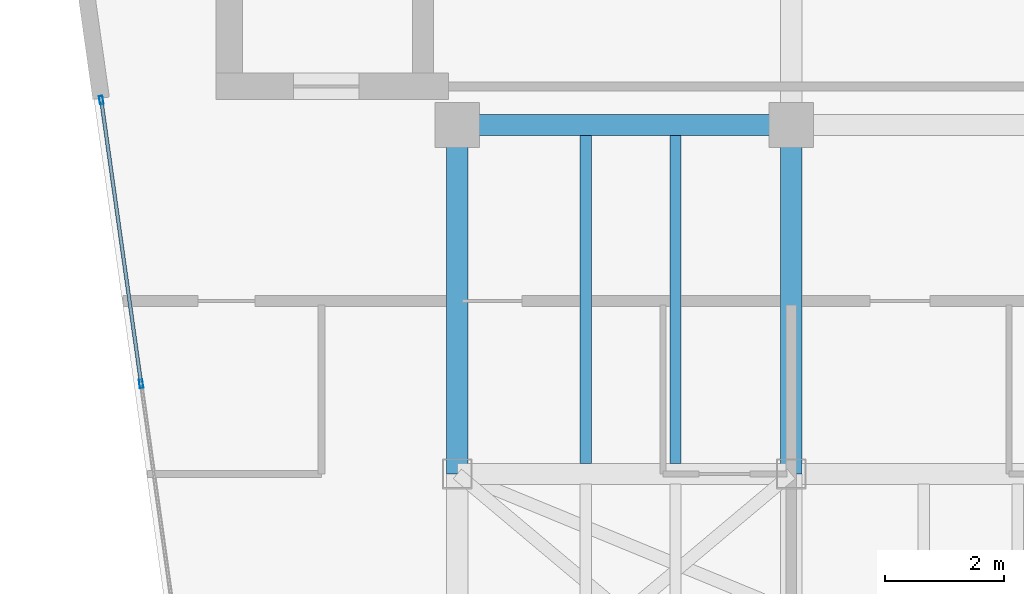
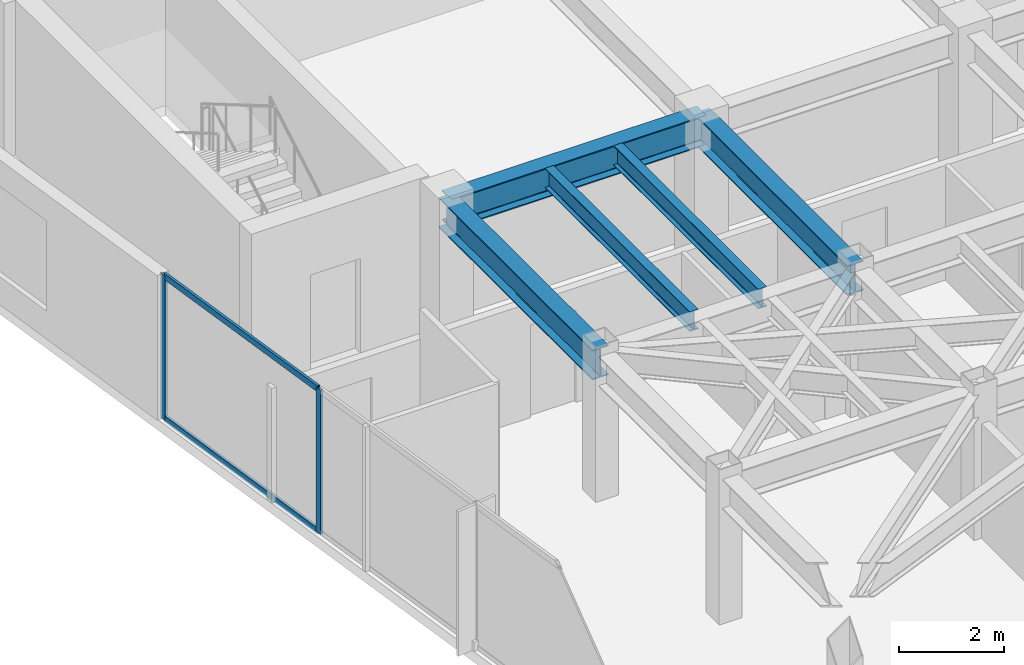
# One storey, part 10 of 20: 5 beams, 4 members, 1 element without a shape of its own.
"""IFC4 building model written with IfcOpenShell, lengths in metres."""

from ifc_helpers import new_model, si_unit, direction, frame, origin, origin_2d, place, context, subcontext, project, spatial, hollow_rectangle, i_section, extrude, material, layer, layer_set, material_profile, profile_set, type_object, element, aggregate, save


model = new_model("IFC4")

# Units and contexts
model_context = context("Model", 3, precision=1e-05, world=origin(), true_north=direction((0.0, 1.0)))
body_context = subcontext(model_context, "Body", "Model", "MODEL_VIEW")
ifc_project = project(units=[si_unit("LENGTHUNIT", "METRE"), si_unit("AREAUNIT", "SQUARE_METRE"), si_unit("VOLUMEUNIT", "CUBIC_METRE"), si_unit("PLANEANGLEUNIT", "RADIAN"), si_unit("MASSUNIT", "GRAM", prefix="KILO")], contexts=[model_context])

# Site, building, storey
site_placement = place(None, origin())
site = spatial("IfcSite", under=ifc_project, at=site_placement, CompositionType="ELEMENT")
building_placement = place(site_placement, origin())
building = spatial("IfcBuilding", under=site, at=building_placement, Name="Kravanh Interchange Tower", CompositionType="ELEMENT")
storey_placement = place(building_placement, frame((0.0, 0.0, 238.199951171875)))
storey = spatial("IfcBuildingStorey", under=building, at=storey_placement, Name="L57", CompositionType="ELEMENT", Elevation=238.199951171875)

# Curtain wall, members
ifc_material_1 = material(Name="Anodised Bronze Aluminium", Category="aluminium")
ifc_layer = layer(ifc_material_1, 0.179931640625)
ifc_layer_set = layer_set([ifc_layer], Name="Unitised Curtain Wall System CW-HTL Luxury Hotel")
curtain_wall_type = type_object("IfcCurtainWallType", Name="Unitised Curtain Wall System CW-HTL Luxury Hotel", PredefinedType="NOTDEFINED", material=ifc_layer_set)
curtain_wall_placement = place(storey_placement, origin())
curtain_wall = element("IfcCurtainWall", 1, at=curtain_wall_placement, inside=storey, type_object=curtain_wall_type, Name="L57 Unitised Curtain Wall CW-L57-01", PredefinedType="NOTDEFINED")
ifc_material_2 = material(Name="Anodised Bronze Aluminium", Category="aluminium")
ifc_material_profile_1 = material_profile(ifc_material_2, hollow_rectangle(XDim=0.06005859375, YDim=0.139892578125, WallThickness=0.00390625, at=origin_2d()), Name="ALU60X140X4")
ifc_profile_set_1 = profile_set([ifc_material_profile_1], Name="Anodised Bronze Aluminium")
member_type_1 = type_object("IfcMemberType", Name="Curtain Wall Mullion ALU60X140X4 Bronze", PredefinedType="MULLION", material=ifc_profile_set_1)
member_1_placement = place(storey_placement, frame((21.89794921875, 33.010498046875, 0.0), z_axis=(0.0, 0.0, 1.0), x_axis=(-0.990267623707, -0.13917626751, 0.0)))
member_1 = element("IfcMember", 2, at=member_1_placement, type_object=member_type_1, Name="CW-HTL mullion 4", PredefinedType="MULLION", context=body_context, shape_type="SweptSolid", body=[
    extrude(hollow_rectangle(XDim=0.06005859375, YDim=0.139892578125, WallThickness=0.00390625, at=origin_2d()), origin(), (0.0, 0.0, 1.0), 3.360107421875),
])
member_2_placement = place(storey_placement, frame((21.22900390625, 37.770263671875, 0.0), z_axis=(0.0, 0.0, 1.0), x_axis=(-0.990267623707, -0.13917626751, 0.0)))
member_2 = element("IfcMember", 3, at=member_2_placement, type_object=member_type_1, Name="CW-HTL mullion 5", PredefinedType="MULLION", context=body_context, shape_type="SweptSolid", body=[
    extrude(hollow_rectangle(XDim=0.06005859375, YDim=0.139892578125, WallThickness=0.00390625, at=origin_2d()), origin(), (0.0, 0.0, 1.0), 3.360107421875),
])
ifc_material_3 = material(Name="Anodised Bronze Aluminium", Category="aluminium")
ifc_material_profile_2 = material_profile(ifc_material_3, hollow_rectangle(XDim=0.06005859375, YDim=0.139892578125, WallThickness=0.00390625, at=origin_2d()), Name="ALU60X140X4")
ifc_profile_set_2 = profile_set([ifc_material_profile_2], Name="Anodised Bronze Aluminium")
member_type_2 = type_object("IfcMemberType", Name="Curtain Wall Transom ALU60X140X4 Bronze", PredefinedType="USERDEFINED", material=ifc_profile_set_2)
member_3_placement = place(storey_placement, frame((21.893798828125, 33.0400390625, 0.030029296875), z_axis=(-0.13918153974, 0.990266882712, 0.0), x_axis=(-0.990266882712, -0.13918153974, 0.0)))
member_3 = element("IfcMember", 4, at=member_3_placement, type_object=member_type_2, Name="CW-HTL transom 4.1", ObjectType="TRANSOM", PredefinedType="USERDEFINED", context=body_context, shape_type="SweptSolid", body=[
    extrude(hollow_rectangle(XDim=0.06005859375, YDim=0.139892578125, WallThickness=0.00390625, at=origin_2d()), origin(), (0.0, 0.0, 1.0), 4.74658203125),
])
member_4_placement = place(storey_placement, frame((21.893798828125, 33.0400390625, 3.330078125), z_axis=(-0.13918153974, 0.990266882712, 0.0), x_axis=(-0.990266882712, -0.13918153974, 0.0)))
member_4 = element("IfcMember", 5, at=member_4_placement, type_object=member_type_2, Name="CW-HTL transom 4.2", ObjectType="TRANSOM", PredefinedType="USERDEFINED", context=body_context, shape_type="SweptSolid", body=[
    extrude(hollow_rectangle(XDim=0.06005859375, YDim=0.139892578125, WallThickness=0.00390625, at=origin_2d()), origin(), (0.0, 0.0, 1.0), 4.74658203125),
])
aggregate(curtain_wall, [member_1, member_2, member_3, member_4])

# Beams
ifc_material_4 = material(Name="Structural Steel S355", Category="steel")
ifc_material_profile_3 = material_profile(ifc_material_4, i_section(OverallWidth=0.35498046875, OverallDepth=0.696044921875, WebThickness=0.015380859375, FlangeThickness=0.02490234375, FilletRadius=0.02392578125, at=origin_2d()), Name="W27X146")
ifc_profile_set_3 = profile_set([ifc_material_profile_3], Name="Structural Steel S355")
beam_type_1 = type_object("IfcBeamType", Name="Floor Beam W27X146 Structural Steel S355", PredefinedType="BEAM", material=ifc_profile_set_3)
for number, where, z_axis, x_axis, name in (
    (6, (32.800048828125, 31.5, 3.011962890625), (0.0, 1.0, 0.0), (-1.0, 0.0, 0.0), "L57 Primary Floor Girder 23"),
    (7, (27.199951171875, 31.5, 3.011962890625), (0.0, 1.0, 0.0), (-1.0, 0.0, 0.0), "L57 Primary Floor Girder 26"),
):
    element("IfcBeam", number, at=place(storey_placement, frame(where, z_axis=z_axis, x_axis=x_axis)), inside=storey, type_object=beam_type_1, Name=name, PredefinedType="BEAM", context=body_context, shape_type="SweptSolid", body=[
        extrude(i_section(OverallWidth=0.35498046875, OverallDepth=0.696044921875, WebThickness=0.015380859375, FlangeThickness=0.02490234375, FilletRadius=0.02392578125, at=origin_2d()), origin(), (0.0, 0.0, 1.0), 5.85009765625),
    ])
beam_placement = place(storey_placement, frame((32.800048828125, 37.35009765625, 3.011962890625), z_axis=(-1.0, 0.0, 0.0), x_axis=(0.0, -1.0, 0.0)))
element("IfcBeam", 8, at=beam_placement, inside=storey, type_object=beam_type_1, Name="L57 Primary Floor Girder 58", PredefinedType="BEAM", context=body_context, shape_type="SweptSolid", body=[
    extrude(i_section(OverallWidth=0.35498046875, OverallDepth=0.696044921875, WebThickness=0.015380859375, FlangeThickness=0.02490234375, FilletRadius=0.02392578125, at=origin_2d()), origin(), (0.0, 0.0, 1.0), 5.60009765625),
])
ifc_material_5 = material(Name="Structural Steel S355", Category="steel")
ifc_material_profile_4 = material_profile(ifc_material_5, i_section(OverallWidth=0.18994140625, OverallDepth=0.45703125, WebThickness=0.009033203125, FlangeThickness=0.014404296875, FilletRadius=0.01806640625, at=origin_2d()), Name="W18X50")
ifc_profile_set_4 = profile_set([ifc_material_profile_4], Name="Structural Steel S355")
beam_type_2 = type_object("IfcBeamType", Name="Floor Joist W18X50 Structural Steel S355", PredefinedType="JOIST", material=ifc_profile_set_4)
for number, where, z_axis, x_axis, name in (
    (9, (29.35498046875, 31.672607421875, 3.131591796875), (0.0, 1.0, 0.0), (-1.0, 0.0, 0.0), "L57 Secondary Floor Joist 11"),
    (10, (30.860107421875, 31.672607421875, 3.131591796875), (0.0, 1.0, 0.0), (-1.0, 0.0, 0.0), "L57 Secondary Floor Joist 12"),
):
    element("IfcBeam", number, at=place(storey_placement, frame(where, z_axis=z_axis, x_axis=x_axis)), inside=storey, type_object=beam_type_2, Name=name, PredefinedType="JOIST", context=body_context, shape_type="SweptSolid", body=[
        extrude(i_section(OverallWidth=0.18994140625, OverallDepth=0.45703125, WebThickness=0.009033203125, FlangeThickness=0.014404296875, FilletRadius=0.01806640625, at=origin_2d()), origin(), (0.0, 0.0, 1.0), 5.5048828125),
    ])

save(model, "model.ifc")
